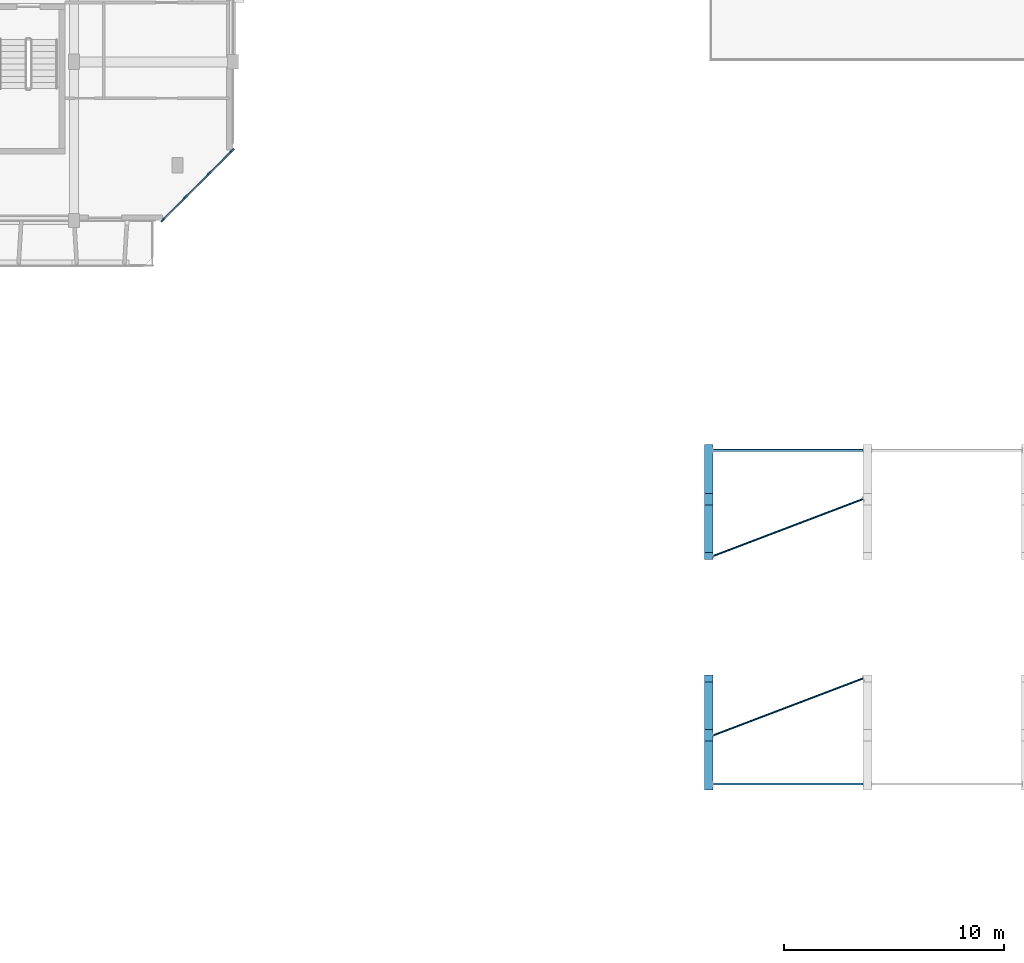
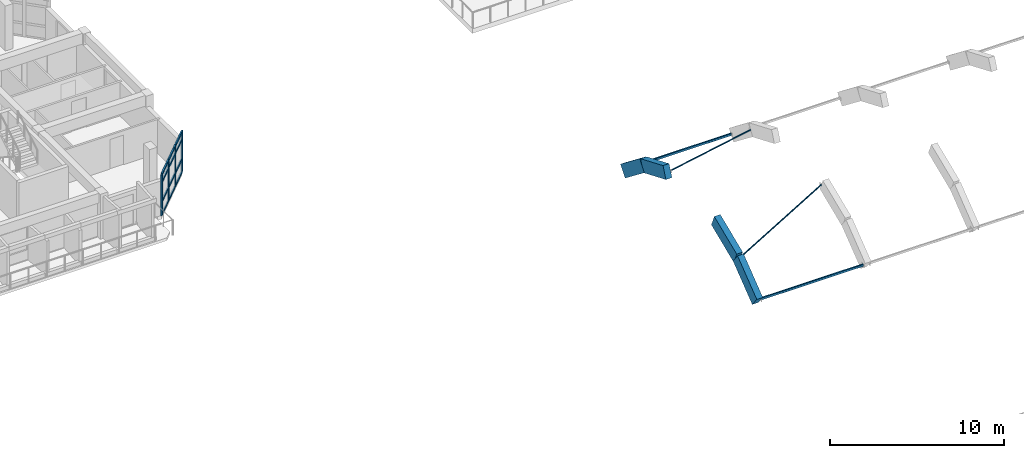
# One storey, part 9 of 64: 20 members, 4 beams, 1 element without a shape of its own.
"""IFC4 building model written with IfcOpenShell, lengths in metres."""

from ifc_helpers import new_model, si_unit, direction, frame, origin, origin_2d, place, context, subcontext, project, spatial, rectangle, hollow_rectangle, hollow_circle, extrude, material, layer, layer_set, material_profile, profile_set, type_object, element, aggregate, save


model = new_model("IFC4")

# Units and contexts
model_context = context("Model", 3, precision=1e-05, world=origin(), true_north=direction((0.0, 1.0)))
body_context = subcontext(model_context, "Body", "Model", "MODEL_VIEW")
ifc_project = project(units=[si_unit("LENGTHUNIT", "METRE"), si_unit("AREAUNIT", "SQUARE_METRE"), si_unit("VOLUMEUNIT", "CUBIC_METRE"), si_unit("PLANEANGLEUNIT", "RADIAN"), si_unit("MASSUNIT", "GRAM", prefix="KILO")], contexts=[model_context])

# Site, building, storey
site_placement = place(None, origin())
site = spatial("IfcSite", under=ifc_project, at=site_placement, CompositionType="ELEMENT")
building_placement = place(site_placement, origin())
building = spatial("IfcBuilding", under=site, at=building_placement, Name="Ochrevale Crest", CompositionType="ELEMENT")
storey_placement = place(building_placement, frame((0.0, 0.0, 8.699951171875)))
storey = spatial("IfcBuildingStorey", under=building, at=storey_placement, Name="L02", CompositionType="ELEMENT", Elevation=8.699951171875)

# Beams
ifc_material_1 = material(Name="Precast concrete C50/60", Category="concrete")
ifc_material_profile_1 = material_profile(ifc_material_1, rectangle(XDim=0.39990234375, YDim=0.85009765625, at=origin_2d()), Name="PC 400x850")
ifc_profile_set_1 = profile_set([ifc_material_profile_1], Name="Precast concrete C50/60")
beam_type = type_object("IfcBeamType", Name="BM-AR400x850", PredefinedType="BEAM", material=ifc_profile_set_1)
for number, where, z_axis, x_axis, name in (
    (1, (57.60009765625, 46.42626953125, 0.81298828125), (0.0, 0.789347525519, 0.613946645856), (-1.0, 0.0, 0.0), "Precast vault arch rib AR-01 chord 3"),
    (2, (57.60009765625, 48.637939453125, 2.533203125), (0.0, 0.922358689009, 0.386334633201), (-1.0, 0.0, 0.0), "Precast vault arch rib AR-01 chord 4"),
    (3, (57.60009765625, 56.777587890625, 3.61572265625), (0.0, 0.922358689009, -0.386334633201), (-1.0, 0.0, 0.0), "Precast vault arch rib AR-01 chord 7"),
    (4, (57.60009765625, 59.362060546875, 2.533203125), (0.0, 0.789347525519, -0.613946645856), (-1.0, 0.0, 0.0), "Precast vault arch rib AR-01 chord 8"),
):
    element("IfcBeam", number, at=place(storey_placement, frame(where, z_axis=z_axis, x_axis=x_axis)), inside=storey, type_object=beam_type, Name=name, PredefinedType="BEAM", context=body_context, shape_type="SweptSolid", body=[
        extrude(rectangle(XDim=0.39990234375, YDim=0.85009765625, at=origin_2d()), origin(), (0.0, 0.0, 1.0), 2.802001953125),
    ])

# Curtain wall, members
ifc_material_2 = material(Name="Anodised aluminium 6063-T5", Category="aluminium")
ifc_layer = layer(ifc_material_2, 0.14990234375)
ifc_layer_set = layer_set([ifc_layer], Name="Anodised aluminium 6063-T5")
curtain_wall_type = type_object("IfcCurtainWallType", Name="CW-WG-420x285", PredefinedType="NOTDEFINED", material=ifc_layer_set)
curtain_wall_placement = place(storey_placement, origin())
curtain_wall = element("IfcCurtainWall", 5, at=curtain_wall_placement, inside=storey, type_object=curtain_wall_type, Name="Block B L02 chamfered corner wintergarden curtain wall 2", PredefinedType="NOTDEFINED")
ifc_material_profile_2 = material_profile(ifc_material_2, rectangle(XDim=0.074951171875, YDim=0.219970703125, at=origin_2d()), Name="ALU 75x220")
ifc_profile_set_2 = profile_set([ifc_material_profile_2], Name="Anodised aluminium 6063-T5")
member_type_1 = type_object("IfcMemberType", Name="CW-MUL-75x220", PredefinedType="MULLION", material=ifc_profile_set_2)
member_1_placement = place(storey_placement, frame((32.826416015625, 72.026611328125, 0.0), z_axis=(0.0, 0.0, 1.0), x_axis=(-0.707106781187, 0.707106781187, 0.0)))
member_1 = element("IfcMember", 6, at=member_1_placement, type_object=member_type_1, Name="CW22 mullion 1", PredefinedType="MULLION", context=body_context, shape_type="SweptSolid", body=[
    extrude(rectangle(XDim=0.074951171875, YDim=0.219970703125, at=origin_2d()), origin(), (0.0, 0.0, 1.0), 2.875),
])
member_2_placement = place(storey_placement, frame((33.86669921875, 73.066650390625, 0.0), z_axis=(0.0, 0.0, 1.0), x_axis=(-0.707106781187, 0.707106781187, 0.0)))
member_2 = element("IfcMember", 7, at=member_2_placement, type_object=member_type_1, Name="CW22 mullion 2", PredefinedType="MULLION", context=body_context, shape_type="SweptSolid", body=[
    extrude(rectangle(XDim=0.074951171875, YDim=0.219970703125, at=origin_2d()), origin(), (0.0, 0.0, 1.0), 2.875),
])
member_3_placement = place(storey_placement, frame((34.933349609375, 74.13330078125, 0.0), z_axis=(0.0, 0.0, 1.0), x_axis=(-0.707106781187, 0.707106781187, 0.0)))
member_3 = element("IfcMember", 8, at=member_3_placement, type_object=member_type_1, Name="CW22 mullion 3", PredefinedType="MULLION", context=body_context, shape_type="SweptSolid", body=[
    extrude(rectangle(XDim=0.074951171875, YDim=0.219970703125, at=origin_2d()), origin(), (0.0, 0.0, 1.0), 2.875),
])
member_4_placement = place(storey_placement, frame((35.973388671875, 75.173583984375, 0.0), z_axis=(0.0, 0.0, 1.0), x_axis=(-0.707106781187, 0.707106781187, 0.0)))
member_4 = element("IfcMember", 9, at=member_4_placement, type_object=member_type_1, Name="CW22 mullion 4", PredefinedType="MULLION", context=body_context, shape_type="SweptSolid", body=[
    extrude(rectangle(XDim=0.074951171875, YDim=0.219970703125, at=origin_2d()), origin(), (0.0, 0.0, 1.0), 2.875),
])
ifc_material_profile_3 = material_profile(ifc_material_2, rectangle(XDim=0.06005859375, YDim=0.14990234375, at=origin_2d()), Name="ALU 60x150")
ifc_profile_set_3 = profile_set([ifc_material_profile_3], Name="Anodised aluminium 6063-T5")
member_type_2 = type_object("IfcMemberType", Name="CW-TRN-60x150", PredefinedType="USERDEFINED", material=ifc_profile_set_3)
member_5_placement = place(storey_placement, frame((32.85302734375, 72.052978515625, 0.030029296875), z_axis=(0.707106781187, 0.707106781187, 0.0), x_axis=(-0.707106781187, 0.707106781187, 0.0)))
member_5 = element("IfcMember", 10, at=member_5_placement, type_object=member_type_2, Name="CW22 transom 1.1", ObjectType="TRANSOM", PredefinedType="USERDEFINED", context=body_context, shape_type="SweptSolid", body=[
    extrude(rectangle(XDim=0.06005859375, YDim=0.14990234375, at=origin_2d()), origin(), (0.0, 0.0, 1.0), 1.39599609375),
])
member_6_placement = place(storey_placement, frame((32.85302734375, 72.052978515625, 0.949951171875), z_axis=(0.707106781187, 0.707106781187, 0.0), x_axis=(-0.707106781187, 0.707106781187, 0.0)))
member_6 = element("IfcMember", 11, at=member_6_placement, type_object=member_type_2, Name="CW22 transom 1.2", ObjectType="TRANSOM", PredefinedType="USERDEFINED", context=body_context, shape_type="SweptSolid", body=[
    extrude(rectangle(XDim=0.06005859375, YDim=0.14990234375, at=origin_2d()), origin(), (0.0, 0.0, 1.0), 1.39599609375),
])
member_7_placement = place(storey_placement, frame((32.85302734375, 72.052978515625, 2.324951171875), z_axis=(0.707106781187, 0.707106781187, 0.0), x_axis=(-0.707106781187, 0.707106781187, 0.0)))
member_7 = element("IfcMember", 12, at=member_7_placement, type_object=member_type_2, Name="CW22 transom 1.3", ObjectType="TRANSOM", PredefinedType="USERDEFINED", context=body_context, shape_type="SweptSolid", body=[
    extrude(rectangle(XDim=0.06005859375, YDim=0.14990234375, at=origin_2d()), origin(), (0.0, 0.0, 1.0), 1.39599609375),
])
member_8_placement = place(storey_placement, frame((32.85302734375, 72.052978515625, 2.844970703125), z_axis=(0.707106781187, 0.707106781187, 0.0), x_axis=(-0.707106781187, 0.707106781187, 0.0)))
member_8 = element("IfcMember", 13, at=member_8_placement, type_object=member_type_2, Name="CW22 transom 1.4", ObjectType="TRANSOM", PredefinedType="USERDEFINED", context=body_context, shape_type="SweptSolid", body=[
    extrude(rectangle(XDim=0.06005859375, YDim=0.14990234375, at=origin_2d()), origin(), (0.0, 0.0, 1.0), 1.39599609375),
])
member_9_placement = place(storey_placement, frame((33.89306640625, 73.09326171875, 0.030029296875), z_axis=(0.707106781187, 0.707106781187, 0.0), x_axis=(-0.707106781187, 0.707106781187, 0.0)))
member_9 = element("IfcMember", 14, at=member_9_placement, type_object=member_type_2, Name="CW22 transom 2.1", ObjectType="TRANSOM", PredefinedType="USERDEFINED", context=body_context, shape_type="SweptSolid", body=[
    extrude(rectangle(XDim=0.06005859375, YDim=0.14990234375, at=origin_2d()), origin(), (0.0, 0.0, 1.0), 1.43359375),
])
member_10_placement = place(storey_placement, frame((33.89306640625, 73.09326171875, 0.949951171875), z_axis=(0.707106781187, 0.707106781187, 0.0), x_axis=(-0.707106781187, 0.707106781187, 0.0)))
member_10 = element("IfcMember", 15, at=member_10_placement, type_object=member_type_2, Name="CW22 transom 2.2", ObjectType="TRANSOM", PredefinedType="USERDEFINED", context=body_context, shape_type="SweptSolid", body=[
    extrude(rectangle(XDim=0.06005859375, YDim=0.14990234375, at=origin_2d()), origin(), (0.0, 0.0, 1.0), 1.43359375),
])
member_11_placement = place(storey_placement, frame((33.89306640625, 73.09326171875, 2.324951171875), z_axis=(0.707106781187, 0.707106781187, 0.0), x_axis=(-0.707106781187, 0.707106781187, 0.0)))
member_11 = element("IfcMember", 16, at=member_11_placement, type_object=member_type_2, Name="CW22 transom 2.3", ObjectType="TRANSOM", PredefinedType="USERDEFINED", context=body_context, shape_type="SweptSolid", body=[
    extrude(rectangle(XDim=0.06005859375, YDim=0.14990234375, at=origin_2d()), origin(), (0.0, 0.0, 1.0), 1.43359375),
])
member_12_placement = place(storey_placement, frame((33.89306640625, 73.09326171875, 2.844970703125), z_axis=(0.707106781187, 0.707106781187, 0.0), x_axis=(-0.707106781187, 0.707106781187, 0.0)))
member_12 = element("IfcMember", 17, at=member_12_placement, type_object=member_type_2, Name="CW22 transom 2.4", ObjectType="TRANSOM", PredefinedType="USERDEFINED", context=body_context, shape_type="SweptSolid", body=[
    extrude(rectangle(XDim=0.06005859375, YDim=0.14990234375, at=origin_2d()), origin(), (0.0, 0.0, 1.0), 1.43359375),
])
member_13_placement = place(storey_placement, frame((34.9599609375, 74.159912109375, 0.030029296875), z_axis=(0.707106781187, 0.707106781187, 0.0), x_axis=(-0.707106781187, 0.707106781187, 0.0)))
member_13 = element("IfcMember", 18, at=member_13_placement, type_object=member_type_2, Name="CW22 transom 3.1", ObjectType="TRANSOM", PredefinedType="USERDEFINED", context=body_context, shape_type="SweptSolid", body=[
    extrude(rectangle(XDim=0.06005859375, YDim=0.14990234375, at=origin_2d()), origin(), (0.0, 0.0, 1.0), 1.39599609375),
])
member_14_placement = place(storey_placement, frame((34.9599609375, 74.159912109375, 0.949951171875), z_axis=(0.707106781187, 0.707106781187, 0.0), x_axis=(-0.707106781187, 0.707106781187, 0.0)))
member_14 = element("IfcMember", 19, at=member_14_placement, type_object=member_type_2, Name="CW22 transom 3.2", ObjectType="TRANSOM", PredefinedType="USERDEFINED", context=body_context, shape_type="SweptSolid", body=[
    extrude(rectangle(XDim=0.06005859375, YDim=0.14990234375, at=origin_2d()), origin(), (0.0, 0.0, 1.0), 1.39599609375),
])
member_15_placement = place(storey_placement, frame((34.9599609375, 74.159912109375, 2.324951171875), z_axis=(0.707106781187, 0.707106781187, 0.0), x_axis=(-0.707106781187, 0.707106781187, 0.0)))
member_15 = element("IfcMember", 20, at=member_15_placement, type_object=member_type_2, Name="CW22 transom 3.3", ObjectType="TRANSOM", PredefinedType="USERDEFINED", context=body_context, shape_type="SweptSolid", body=[
    extrude(rectangle(XDim=0.06005859375, YDim=0.14990234375, at=origin_2d()), origin(), (0.0, 0.0, 1.0), 1.39599609375),
])
member_16_placement = place(storey_placement, frame((34.9599609375, 74.159912109375, 2.844970703125), z_axis=(0.707106781187, 0.707106781187, 0.0), x_axis=(-0.707106781187, 0.707106781187, 0.0)))
member_16 = element("IfcMember", 21, at=member_16_placement, type_object=member_type_2, Name="CW22 transom 3.4", ObjectType="TRANSOM", PredefinedType="USERDEFINED", context=body_context, shape_type="SweptSolid", body=[
    extrude(rectangle(XDim=0.06005859375, YDim=0.14990234375, at=origin_2d()), origin(), (0.0, 0.0, 1.0), 1.39599609375),
])
aggregate(curtain_wall, [member_1, member_2, member_3, member_4, member_5, member_6, member_7, member_8, member_9, member_10, member_11, member_12, member_13, member_14, member_15, member_16])

# Members
ifc_material_3 = material(Name="Steel S355", Category="steel")
ifc_material_profile_4 = material_profile(ifc_material_3, hollow_circle(Radius=0.04443359375, WallThickness=0.005615234375, at=origin_2d()), Name="88.9x5.5CHS")
ifc_profile_set_4 = profile_set([ifc_material_profile_4], Name="Steel S355")
member_type_3 = type_object("IfcMemberType", Name="MEM-CHS89-BR", PredefinedType="BRACE", material=ifc_profile_set_4)
for number, where, z_axis, x_axis, name in (
    (22, (57.800048828125, 48.637939453125, 2.533203125), (0.924582066152, 0.351402927953, 0.147186905587), (-0.355272306226, 0.934762851438, 0.0), "Community Hall vault CHS lateral brace B1-3"),
    (23, (57.800048828125, 56.777587890625, 3.61572265625), (0.924582066152, 0.351402927953, -0.147186905587), (-0.355272306226, 0.934762851438, 0.0), "Community Hall vault CHS lateral brace B1-6"),
):
    element("IfcMember", number, at=place(storey_placement, frame(where, z_axis=z_axis, x_axis=x_axis)), inside=storey, type_object=member_type_3, Name=name, PredefinedType="BRACE", context=body_context, shape_type="SweptSolid", body=[
        extrude(hollow_circle(Radius=0.04443359375, WallThickness=0.005615234375, at=origin_2d()), origin(), (0.0, 0.0, 1.0), 7.354736328125),
    ])
ifc_material_profile_5 = material_profile(ifc_material_3, hollow_rectangle(XDim=0.10009765625, YDim=0.14990234375, WallThickness=0.0048828125, InnerFilletRadius=0.0048828125, OuterFilletRadius=0.010009765625, at=origin_2d()), Name="150x100x5.0RHS")
ifc_profile_set_5 = profile_set([ifc_material_profile_5], Name="Steel S355")
member_type_4 = type_object("IfcMemberType", Name="MEM-RHS150-PR", PredefinedType="PURLIN", material=ifc_profile_set_5)
for number, where, z_axis, x_axis, name in (
    (24, (57.800048828125, 46.42626953125, 0.89306640625), (1.0, 0.0, 0.0), (0.0, 1.0, 0.0), "Vault longitudinal steel purlin B1-2"),
    (25, (57.800048828125, 61.57373046875, 0.89306640625), (1.0, 0.0, 0.0), (0.0, 1.0, 0.0), "Vault longitudinal steel purlin B1-8"),
):
    element("IfcMember", number, at=place(storey_placement, frame(where, z_axis=z_axis, x_axis=x_axis)), inside=storey, type_object=member_type_4, Name=name, PredefinedType="PURLIN", context=body_context, shape_type="SweptSolid", body=[
        extrude(hollow_rectangle(XDim=0.10009765625, YDim=0.14990234375, WallThickness=0.0048828125, InnerFilletRadius=0.0048828125, OuterFilletRadius=0.010009765625, at=origin_2d()), origin(), (0.0, 0.0, 1.0), 6.800048828125),
    ])

save(model, "model.ifc")
